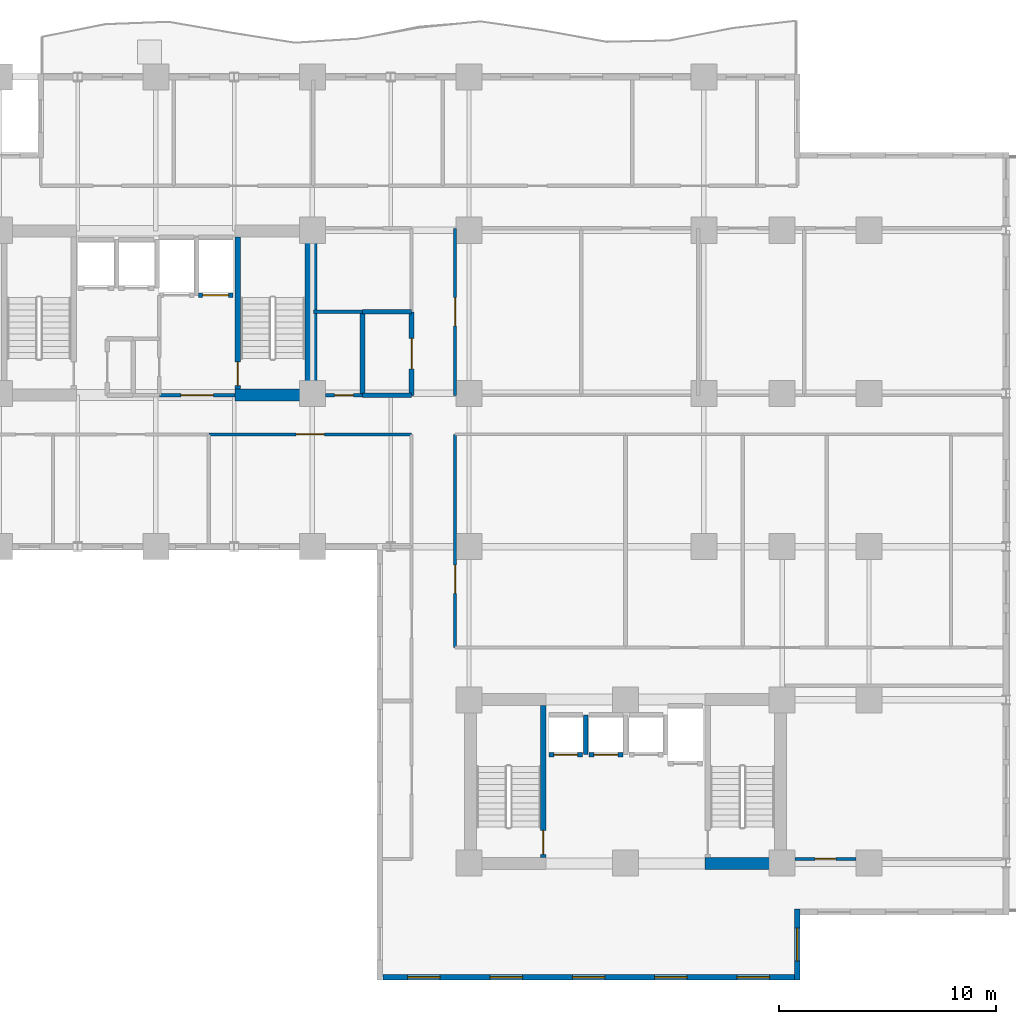
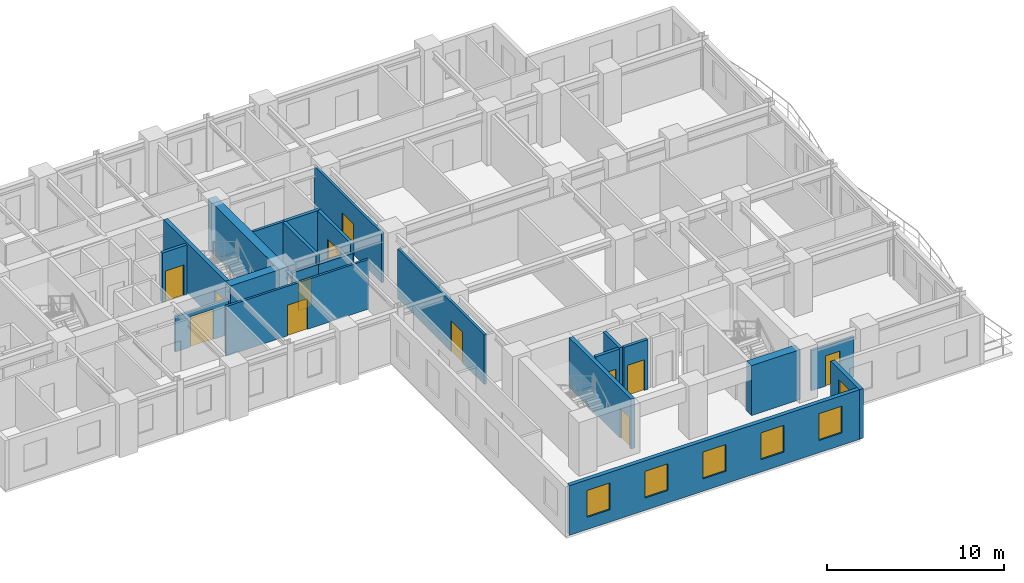
# One storey, part 4 of 11: 22 walls, 12 doors, 6 windows, 18 openings.
"""IFC4 building model written with IfcOpenShell, lengths in metres."""

from ifc_helpers import new_model, si_unit, direction, frame, frame_2d, origin, place, context, subcontext, project, spatial, rectangle, extrude, material, layer, layer_set, type_object, element, fill, save


model = new_model("IFC4")

# Units and contexts
model_context = context("Model", 3, precision=1e-05, world=origin(), true_north=direction((0.0, 1.0)))
body_context = subcontext(model_context, "Body", "Model", "MODEL_VIEW")
ifc_project = project(units=[si_unit("LENGTHUNIT", "METRE"), si_unit("AREAUNIT", "SQUARE_METRE"), si_unit("VOLUMEUNIT", "CUBIC_METRE"), si_unit("PLANEANGLEUNIT", "RADIAN"), si_unit("MASSUNIT", "GRAM", prefix="KILO")], contexts=[model_context])

# Site, building, storey
site_placement = place(None, origin())
site = spatial("IfcSite", under=ifc_project, at=site_placement, CompositionType="ELEMENT")
building_placement = place(site_placement, origin())
building = spatial("IfcBuilding", under=site, at=building_placement, Name="Kaliganga Portal Commons", CompositionType="ELEMENT")
storey_placement = place(building_placement, frame((0.0, 0.0, 115.60009765625)))
storey = spatial("IfcBuildingStorey", under=building, at=storey_placement, Name="L29", CompositionType="ELEMENT", Elevation=115.60009765625)

# Walls
ifc_material_1 = material(Name="Concrete C60/75", Category="concrete")
ifc_layer_1 = layer(ifc_material_1, 0.550048828125)
ifc_layer_set_1 = layer_set([ifc_layer_1], Name="Concrete C60/75")
wall_type_1 = type_object("IfcWallType", Name="WL-CORE-550", PredefinedType="SHEAR", material=ifc_layer_set_1)
wall_1_placement = place(storey_placement, frame((28.72509765625, 28.300048828125, 0.0), z_axis=(0.0, 0.0, 1.0), x_axis=(0.0, 1.0, 0.0)))
element("IfcWall", 1, at=wall_1_placement, inside=storey, type_object=wall_type_1, Name="Core A East Shear Wall L29", PredefinedType="SHEAR", context=body_context, shape_type="SweptSolid", body=[
    extrude(rectangle(XDim=8.099853515625, YDim=0.550048828125, at=frame_2d((4.0498046875, 0.0))), origin(), (0.0, 0.0, 1.0), 3.449951171875),
])
for number, where, z_axis, x_axis, name in (
    (2, (25.25, 28.574951171875, 0.0), (0.0, 0.0, 1.0), (1.0, 0.0, 0.0), "Core A S-East Shear Wall L29"),
    (3, (46.85009765625, 7.02490234375, 0.0), (0.0, 0.0, 1.0), (1.0, 0.0, 0.0), "Core B S-East Shear Wall L29"),
):
    element("IfcWall", number, at=place(storey_placement, frame(where, z_axis=z_axis, x_axis=x_axis)), inside=storey, type_object=wall_type_1, Name=name, PredefinedType="SHEAR", context=body_context, shape_type="SweptSolid", body=[
        extrude(rectangle(XDim=3.199951171875, YDim=0.550048828125, at=frame_2d((1.60009765625, 0.0))), origin(), (0.0, 0.0, 1.0), 3.449951171875),
    ])

# Wall, openings, windows
ifc_material_2 = material(Name="Insulated Aluminium-Clad Spandrel Assembly", Category="aluminium")
ifc_layer_2 = layer(ifc_material_2, 0.260009765625)
ifc_layer_set_2 = layer_set([ifc_layer_2], Name="Insulated Aluminium-Clad Spandrel Assembly")
wall_type_2 = type_object("IfcWallType", Name="WL-EXT-SPAND-260", PredefinedType="STANDARD", material=ifc_layer_set_2)
wall_2_placement = place(storey_placement, frame((50.965087890625, 1.800048828125, 0.0), z_axis=(0.0, 0.0, 1.0), x_axis=(-1.0, 0.0, 0.0)))
wall_2 = element("IfcWall", 4, at=wall_2_placement, inside=storey, type_object=wall_type_2, Name="Exterior Envelope Wall L29 P1-E00-S1", PredefinedType="STANDARD", context=body_context, shape_type="SweptSolid", body=[
    extrude(rectangle(XDim=18.93017578125, YDim=0.260009765625, at=frame_2d((9.465087890625, 0.0))), origin(), (0.0, 0.0, 1.0), 3.429931640625),
])
opening_1_placement = place(wall_2_placement, frame((1.14306640625, 0.0, 0.85009765625)))
opening_1 = element("IfcOpeningElement", 5, at=opening_1_placement, cuts=wall_2, Name="Opening W-02", PredefinedType="OPENING", context=body_context, shape_type="SweptSolid", body=[
    extrude(rectangle(XDim=1.5, YDim=1.85009765625, at=frame_2d((0.75, 0.925048828125))), frame((0.0, 0.14013671875, 0.0), z_axis=(0.0, -1.0, 0.0), x_axis=(1.0, 0.0, 0.0)), (0.0, 0.0, 1.0), 0.280029296875),
])
opening_2_placement = place(wall_2_placement, frame((4.928955078125, 0.0, 0.85009765625)))
opening_2 = element("IfcOpeningElement", 6, at=opening_2_placement, cuts=wall_2, Name="Opening W-02", PredefinedType="OPENING", context=body_context, shape_type="SweptSolid", body=[
    extrude(rectangle(XDim=1.5, YDim=1.85009765625, at=frame_2d((0.75, 0.925048828125))), frame((0.0, 0.14013671875, 0.0), z_axis=(0.0, -1.0, 0.0), x_axis=(1.0, 0.0, 0.0)), (0.0, 0.0, 1.0), 0.280029296875),
])
opening_3_placement = place(wall_2_placement, frame((8.715087890625, 0.0, 0.85009765625)))
opening_3 = element("IfcOpeningElement", 7, at=opening_3_placement, cuts=wall_2, Name="Opening W-02", PredefinedType="OPENING", context=body_context, shape_type="SweptSolid", body=[
    extrude(rectangle(XDim=1.5, YDim=1.85009765625, at=frame_2d((0.75, 0.925048828125))), frame((0.0, 0.14013671875, 0.0), z_axis=(0.0, -1.0, 0.0), x_axis=(1.0, 0.0, 0.0)), (0.0, 0.0, 1.0), 0.280029296875),
])
opening_4_placement = place(wall_2_placement, frame((12.5009765625, 0.0, 0.85009765625)))
opening_4 = element("IfcOpeningElement", 8, at=opening_4_placement, cuts=wall_2, Name="Opening W-02", PredefinedType="OPENING", context=body_context, shape_type="SweptSolid", body=[
    extrude(rectangle(XDim=1.5, YDim=1.85009765625, at=frame_2d((0.75, 0.925048828125))), frame((0.0, 0.14013671875, 0.0), z_axis=(0.0, -1.0, 0.0), x_axis=(1.0, 0.0, 0.0)), (0.0, 0.0, 1.0), 0.280029296875),
])
opening_5_placement = place(wall_2_placement, frame((16.287109375, 0.0, 0.85009765625)))
opening_5 = element("IfcOpeningElement", 9, at=opening_5_placement, cuts=wall_2, Name="Opening W-02", PredefinedType="OPENING", context=body_context, shape_type="SweptSolid", body=[
    extrude(rectangle(XDim=1.5, YDim=1.85009765625, at=frame_2d((0.75, 0.925048828125))), frame((0.0, 0.14013671875, 0.0), z_axis=(0.0, -1.0, 0.0), x_axis=(1.0, 0.0, 0.0)), (0.0, 0.0, 1.0), 0.280029296875),
])
ifc_material_3 = material(Name="Thermally Broken Aluminium and Low-E Double Glazing", Category="aluminium")
window_type = type_object("IfcWindowType", Name="WIN-STD-1500", PartitioningType="DOUBLE_PANEL_VERTICAL", PredefinedType="WINDOW", material=ifc_material_3)
window_1_placement = place(opening_1_placement, origin())
window_1 = element("IfcWindow", 10, at=window_1_placement, inside=storey, type_object=window_type, Name="Facade Window L29-P1E00S1-00", OverallHeight=1.85009765625, OverallWidth=1.5, PartitioningType="SINGLE_PANEL", PredefinedType="WINDOW", context=body_context, shape_type="SweptSolid", body=[
    extrude(rectangle(XDim=1.5, YDim=1.85009765625, at=frame_2d((0.75, 0.925048828125))), frame((0.0, 0.030029296875, 0.0), z_axis=(0.0, -1.0, 0.0), x_axis=(1.0, 0.0, 0.0)), (0.0, 0.0, 1.0), 0.06005859375),
])
fill(opening_1, window_1)
window_2_placement = place(opening_2_placement, origin())
window_2 = element("IfcWindow", 11, at=window_2_placement, inside=storey, type_object=window_type, Name="Facade Window L29-P1E00S1-01", OverallHeight=1.85009765625, OverallWidth=1.5, PartitioningType="SINGLE_PANEL", PredefinedType="WINDOW", context=body_context, shape_type="SweptSolid", body=[
    extrude(rectangle(XDim=1.5, YDim=1.85009765625, at=frame_2d((0.75, 0.925048828125))), frame((0.0, 0.030029296875, 0.0), z_axis=(0.0, -1.0, 0.0), x_axis=(1.0, 0.0, 0.0)), (0.0, 0.0, 1.0), 0.06005859375),
])
fill(opening_2, window_2)
window_3_placement = place(opening_3_placement, origin())
window_3 = element("IfcWindow", 12, at=window_3_placement, inside=storey, type_object=window_type, Name="Facade Window L29-P1E00S1-02", OverallHeight=1.85009765625, OverallWidth=1.5, PartitioningType="SINGLE_PANEL", PredefinedType="WINDOW", context=body_context, shape_type="SweptSolid", body=[
    extrude(rectangle(XDim=1.5, YDim=1.85009765625, at=frame_2d((0.75, 0.925048828125))), frame((0.0, 0.030029296875, 0.0), z_axis=(0.0, -1.0, 0.0), x_axis=(1.0, 0.0, 0.0)), (0.0, 0.0, 1.0), 0.06005859375),
])
fill(opening_3, window_3)
window_4_placement = place(opening_4_placement, origin())
window_4 = element("IfcWindow", 13, at=window_4_placement, inside=storey, type_object=window_type, Name="Facade Window L29-P1E00S1-03", OverallHeight=1.85009765625, OverallWidth=1.5, PartitioningType="SINGLE_PANEL", PredefinedType="WINDOW", context=body_context, shape_type="SweptSolid", body=[
    extrude(rectangle(XDim=1.5, YDim=1.85009765625, at=frame_2d((0.75, 0.925048828125))), frame((0.0, 0.030029296875, 0.0), z_axis=(0.0, -1.0, 0.0), x_axis=(1.0, 0.0, 0.0)), (0.0, 0.0, 1.0), 0.06005859375),
])
fill(opening_4, window_4)
window_5_placement = place(opening_5_placement, origin())
window_5 = element("IfcWindow", 14, at=window_5_placement, inside=storey, type_object=window_type, Name="Facade Window L29-P1E00S1-04", OverallHeight=1.85009765625, OverallWidth=1.5, PartitioningType="SINGLE_PANEL", PredefinedType="WINDOW", context=body_context, shape_type="SweptSolid", body=[
    extrude(rectangle(XDim=1.5, YDim=1.85009765625, at=frame_2d((0.75, 0.925048828125))), frame((0.0, 0.030029296875, 0.0), z_axis=(0.0, -1.0, 0.0), x_axis=(1.0, 0.0, 0.0)), (0.0, 0.0, 1.0), 0.06005859375),
])
fill(opening_5, window_5)

# Wall, opening, window
wall_3_placement = place(storey_placement, frame((51.10009765625, 4.929931640625, 0.0), z_axis=(0.0, 0.0, 1.0), x_axis=(0.0, -1.0, 0.0)))
wall_3 = element("IfcWall", 15, at=wall_3_placement, inside=storey, type_object=wall_type_2, Name="Exterior Envelope Wall L29 P1-E01-S1", PredefinedType="STANDARD", context=body_context, shape_type="SweptSolid", body=[
    extrude(rectangle(XDim=3.260009765625, YDim=0.260009765625, at=frame_2d((1.6298828125, 0.0))), origin(), (0.0, 0.0, 1.0), 3.429931640625),
])
opening_6_placement = place(wall_3_placement, frame((0.8798828125, 0.0, 0.85009765625)))
opening_6 = element("IfcOpeningElement", 16, at=opening_6_placement, cuts=wall_3, Name="Opening W-02", PredefinedType="OPENING", context=body_context, shape_type="SweptSolid", body=[
    extrude(rectangle(XDim=1.5, YDim=1.85009765625, at=frame_2d((0.75, 0.925048828125))), frame((0.0, 0.14013671875, 0.0), z_axis=(0.0, -1.0, 0.0), x_axis=(1.0, 0.0, 0.0)), (0.0, 0.0, 1.0), 0.280029296875),
])
window_6_placement = place(opening_6_placement, origin())
window_6 = element("IfcWindow", 17, at=window_6_placement, inside=storey, type_object=window_type, Name="Facade Window L29-P1E01S1-00", OverallHeight=1.85009765625, OverallWidth=1.5, PartitioningType="SINGLE_PANEL", PredefinedType="WINDOW", context=body_context, shape_type="SweptSolid", body=[
    extrude(rectangle(XDim=1.5, YDim=1.85009765625, at=frame_2d((0.75, 0.925048828125))), frame((0.0, 0.030029296875, 0.0), z_axis=(0.0, -1.0, 0.0), x_axis=(1.0, 0.0, 0.0)), (0.0, 0.0, 1.0), 0.06005859375),
])
fill(opening_6, window_6)

# Wall, opening, door
ifc_material_4 = material(Name="Fire-Rated Gypsum Board on Steel Stud", Category="steel")
ifc_layer_3 = layer(ifc_material_4, 0.14990234375)
ifc_layer_set_3 = layer_set([ifc_layer_3], Name="Fire-Rated Gypsum Board on Steel Stud")
wall_type_3 = type_object("IfcWallType", Name="WL-PART-CORR-150", PredefinedType="PARTITIONING", material=ifc_layer_set_3)
wall_4_placement = place(storey_placement, frame((51.0, 7.239990234375, 0.0), z_axis=(0.0, 0.0, 1.0), x_axis=(1.0, 0.0, 0.0)))
wall_4 = element("IfcWall", 18, at=wall_4_placement, inside=storey, type_object=wall_type_3, Name="Interior Partition L29-001", PredefinedType="PARTITIONING", context=body_context, shape_type="SweptSolid", body=[
    extrude(rectangle(XDim=2.800048828125, YDim=0.14990234375, at=frame_2d((1.39990234375, 0.0))), origin(), (0.0, 0.0, 1.0), 2.77978515625),
])
opening_7_placement = place(wall_4_placement, frame((0.925048828125, 0.0, 0.0)))
opening_7 = element("IfcOpeningElement", 19, at=opening_7_placement, cuts=wall_4, Name="Opening UD-01", PredefinedType="OPENING", context=body_context, shape_type="SweptSolid", body=[
    extrude(rectangle(XDim=0.949951171875, YDim=2.10009765625, at=frame_2d((0.47509765625, 1.050048828125))), frame((0.0, 0.0849609375, 0.0), z_axis=(0.0, -1.0, 0.0), x_axis=(1.0, 0.0, 0.0)), (0.0, 0.0, 1.0), 0.169921875),
])
ifc_material_5 = material(Name="Solid-Core Timber Acoustic Fire Door", Category="wood")
door_type_1 = type_object("IfcDoorType", Name="DR-UNIT-950", OperationType="NOTDEFINED", PredefinedType="DOOR", material=ifc_material_5)
door_1_placement = place(opening_7_placement, origin())
door_1 = element("IfcDoor", 20, at=door_1_placement, inside=storey, type_object=door_type_1, Name="Interior Door L29-BE01", OperationType="SINGLE_SWING_LEFT", OverallHeight=2.10009765625, OverallWidth=0.949951171875, PredefinedType="DOOR", context=body_context, shape_type="SweptSolid", body=[
    extrude(rectangle(XDim=0.949951171875, YDim=2.10009765625, at=frame_2d((0.47509765625, 1.050048828125))), frame((0.0, 0.02490234375, 0.0), z_axis=(0.0, -1.0, 0.0), x_axis=(1.0, 0.0, 0.0)), (0.0, 0.0, 1.0), 0.050048828125),
])
fill(opening_7, door_1)

wall_5_placement = place(storey_placement, frame((35.360107421875, 16.9599609375, 0.0), z_axis=(0.0, 0.0, 1.0), x_axis=(0.0, 1.0, 0.0)))
wall_5 = element("IfcWall", 21, at=wall_5_placement, inside=storey, type_object=wall_type_3, Name="Interior Partition L29-004", PredefinedType="PARTITIONING", context=body_context, shape_type="SweptSolid", body=[
    extrude(rectangle(XDim=9.800048828125, YDim=0.14990234375, at=frame_2d((4.89990234375, 0.0))), origin(), (0.0, 0.0, 1.0), 3.429931640625),
])
opening_8_placement = place(wall_5_placement, frame((2.486083984375, 0.0, 0.0)))
opening_8 = element("IfcOpeningElement", 22, at=opening_8_placement, cuts=wall_5, Name="Opening RD-03", PredefinedType="OPENING", context=body_context, shape_type="SweptSolid", body=[
    extrude(rectangle(XDim=1.300048828125, YDim=2.1201171875, at=frame_2d((0.64990234375, 1.06005859375))), frame((0.0, 0.0849609375, 0.0), z_axis=(0.0, -1.0, 0.0), x_axis=(1.0, 0.0, 0.0)), (0.0, 0.0, 1.0), 0.169921875),
])
ifc_material_6 = material(Name="Glazed Timber Seminar Vision Door", Category="wood")
door_type_2 = type_object("IfcDoorType", Name="DR-STUDY-1300", OperationType="DOUBLE_DOOR_SINGLE_SWING", PredefinedType="DOOR", material=ifc_material_6)
door_2_placement = place(opening_8_placement, origin())
door_2 = element("IfcDoor", 23, at=door_2_placement, inside=storey, type_object=door_type_2, Name="Interior Door L29-BM01", OperationType="DOUBLE_DOOR_SINGLE_SWING", OverallHeight=2.1201171875, OverallWidth=1.300048828125, PredefinedType="DOOR", context=body_context, shape_type="SweptSolid", body=[
    extrude(rectangle(XDim=1.300048828125, YDim=2.1201171875, at=frame_2d((0.64990234375, 1.06005859375))), frame((0.0, 0.02490234375, 0.0), z_axis=(0.0, -1.0, 0.0), x_axis=(1.0, 0.0, 0.0)), (0.0, 0.0, 1.0), 0.050048828125),
])
fill(opening_8, door_2)

wall_6_placement = place(storey_placement, frame((24.0400390625, 26.760009765625, 0.0), z_axis=(0.0, 0.0, 1.0), x_axis=(1.0, 0.0, 0.0)))
wall_6 = element("IfcWall", 24, at=wall_6_placement, inside=storey, type_object=wall_type_3, Name="Interior Partition L29-005", PredefinedType="PARTITIONING", context=body_context, shape_type="SweptSolid", body=[
    extrude(rectangle(XDim=9.320068359375, YDim=0.14990234375, at=frame_2d((4.66015625, 0.0))), origin(), (0.0, 0.0, 1.0), 3.429931640625),
])
opening_9_placement = place(wall_6_placement, frame((4.010009765625, 0.0, 0.0)))
opening_9 = element("IfcOpeningElement", 25, at=opening_9_placement, cuts=wall_6, Name="Opening RD-03", PredefinedType="OPENING", context=body_context, shape_type="SweptSolid", body=[
    extrude(rectangle(XDim=1.300048828125, YDim=2.1201171875, at=frame_2d((0.64990234375, 1.06005859375))), frame((0.0, 0.0849609375, 0.0), z_axis=(0.0, -1.0, 0.0), x_axis=(1.0, 0.0, 0.0)), (0.0, 0.0, 1.0), 0.169921875),
])
door_3_placement = place(opening_9_placement, origin())
door_3 = element("IfcDoor", 26, at=door_3_placement, inside=storey, type_object=door_type_2, Name="Interior Door L29-AS05", OperationType="DOUBLE_DOOR_SINGLE_SWING", OverallHeight=2.1201171875, OverallWidth=1.300048828125, PredefinedType="DOOR", context=body_context, shape_type="SweptSolid", body=[
    extrude(rectangle(XDim=1.300048828125, YDim=2.1201171875, at=frame_2d((0.64990234375, 1.06005859375))), frame((0.0, 0.02490234375, 0.0), z_axis=(0.0, -1.0, 0.0), x_axis=(1.0, 0.0, 0.0)), (0.0, 0.0, 1.0), 0.050048828125),
])
fill(opening_9, door_3)

wall_7_placement = place(storey_placement, frame((35.360107421875, 28.56005859375, 0.0), z_axis=(0.0, 0.0, 1.0), x_axis=(0.0, 1.0, 0.0)))
wall_7 = element("IfcWall", 27, at=wall_7_placement, inside=storey, type_object=wall_type_3, Name="Interior Partition L29-010", PredefinedType="PARTITIONING", context=body_context, shape_type="SweptSolid", body=[
    extrude(rectangle(XDim=7.679931640625, YDim=0.14990234375, at=frame_2d((3.83984375, 0.0))), origin(), (0.0, 0.0, 1.0), 3.429931640625),
])
opening_10_placement = place(wall_7_placement, frame((3.18994140625, 0.0, 0.0)))
opening_10 = element("IfcOpeningElement", 28, at=opening_10_placement, cuts=wall_7, Name="Opening RD-03", PredefinedType="OPENING", context=body_context, shape_type="SweptSolid", body=[
    extrude(rectangle(XDim=1.300048828125, YDim=2.1201171875, at=frame_2d((0.64990234375, 1.06005859375))), frame((0.0, 0.0849609375, 0.0), z_axis=(0.0, -1.0, 0.0), x_axis=(1.0, 0.0, 0.0)), (0.0, 0.0, 1.0), 0.169921875),
])
door_4_placement = place(opening_10_placement, origin())
door_4 = element("IfcDoor", 29, at=door_4_placement, inside=storey, type_object=door_type_2, Name="Interior Door L29-BK01", OperationType="DOUBLE_DOOR_SINGLE_SWING", OverallHeight=2.1201171875, OverallWidth=1.300048828125, PredefinedType="DOOR", context=body_context, shape_type="SweptSolid", body=[
    extrude(rectangle(XDim=1.300048828125, YDim=2.1201171875, at=frame_2d((0.64990234375, 1.06005859375))), frame((0.0, 0.02490234375, 0.0), z_axis=(0.0, -1.0, 0.0), x_axis=(1.0, 0.0, 0.0)), (0.0, 0.0, 1.0), 0.050048828125),
])
fill(opening_10, door_4)

wall_8_placement = place(storey_placement, frame((29.39990234375, 28.56005859375, 0.0), z_axis=(0.0, 0.0, 1.0), x_axis=(1.0, 0.0, 0.0)))
wall_8 = element("IfcWall", 30, at=wall_8_placement, inside=storey, type_object=wall_type_3, Name="Interior Partition L29-035", PredefinedType="PARTITIONING", context=body_context, shape_type="SweptSolid", body=[
    extrude(rectangle(XDim=1.7001953125, YDim=0.14990234375, at=frame_2d((0.85009765625, 0.0))), origin(), (0.0, 0.0, 1.0), 2.77978515625),
])
opening_11_placement = place(wall_8_placement, frame((0.419921875, 0.0, 0.0)))
opening_11 = element("IfcOpeningElement", 31, at=opening_11_placement, cuts=wall_8, Name="Opening WD-02", PredefinedType="OPENING", context=body_context, shape_type="SweptSolid", body=[
    extrude(rectangle(XDim=0.860107421875, YDim=2.02001953125, at=frame_2d((0.43017578125, 1.010009765625))), frame((0.0, 0.0849609375, 0.0), z_axis=(0.0, -1.0, 0.0), x_axis=(1.0, 0.0, 0.0)), (0.0, 0.0, 1.0), 0.169921875),
])
ifc_material_7 = material(Name="Fire-Rated Utility Closet Door", Category="wood")
door_type_3 = type_object("IfcDoorType", Name="DR-STORE-800", OperationType="NOTDEFINED", PredefinedType="DOOR", material=ifc_material_7)
door_5_placement = place(opening_11_placement, origin())
door_5 = element("IfcDoor", 32, at=door_5_placement, inside=storey, type_object=door_type_3, Name="Interior Door L29-CSRV_A1", OperationType="SINGLE_SWING_LEFT", OverallHeight=2.02001953125, OverallWidth=0.860107421875, PredefinedType="DOOR", context=body_context, shape_type="SweptSolid", body=[
    extrude(rectangle(XDim=0.860107421875, YDim=2.02001953125, at=frame_2d((0.43017578125, 1.010009765625))), frame((0.0, 0.02490234375, 0.0), z_axis=(0.0, -1.0, 0.0), x_axis=(1.0, 0.0, 0.0)), (0.0, 0.0, 1.0), 0.050048828125),
])
fill(opening_11, door_5)

wall_9_placement = place(storey_placement, frame((21.760009765625, 28.56005859375, 0.0), z_axis=(0.0, 0.0, 1.0), x_axis=(1.0, 0.0, 0.0)))
wall_9 = element("IfcWall", 33, at=wall_9_placement, inside=storey, type_object=wall_type_3, Name="Interior Partition L29-072", PredefinedType="PARTITIONING", context=body_context, shape_type="SweptSolid", body=[
    extrude(rectangle(XDim=3.47998046875, YDim=0.14990234375, at=frame_2d((1.739990234375, 0.0))), origin(), (0.0, 0.0, 1.0), 2.429931640625),
])
opening_12_placement = place(wall_9_placement, frame((0.989990234375, 0.0, 0.0)))
opening_12 = element("IfcOpeningElement", 34, at=opening_12_placement, cuts=wall_9, Name="Opening FD-01", PredefinedType="OPENING", context=body_context, shape_type="SweptSolid", body=[
    extrude(rectangle(XDim=1.5, YDim=2.10009765625, at=frame_2d((0.75, 1.050048828125))), frame((0.0, 0.0849609375, 0.0), z_axis=(0.0, -1.0, 0.0), x_axis=(1.0, 0.0, 0.0)), (0.0, 0.0, 1.0), 0.169921875),
])
ifc_material_8 = material(Name="Fire-Rated Hardwood and Georgian-Wired Vision Panel", Category="wood")
door_type_4 = type_object("IfcDoorType", Name="DR-LOBBY-1500", OperationType="DOUBLE_DOOR_SINGLE_SWING", PredefinedType="DOOR", material=ifc_material_8)
door_6_placement = place(opening_12_placement, origin())
door_6 = element("IfcDoor", 35, at=door_6_placement, inside=storey, type_object=door_type_4, Name="Interior Door L29-FFLOB_A", OperationType="DOUBLE_DOOR_SINGLE_SWING", OverallHeight=2.10009765625, OverallWidth=1.5, PredefinedType="DOOR", context=body_context, shape_type="SweptSolid", body=[
    extrude(rectangle(XDim=1.5, YDim=2.10009765625, at=frame_2d((0.75, 1.050048828125))), frame((0.0, 0.02490234375, 0.0), z_axis=(0.0, -1.0, 0.0), x_axis=(1.0, 0.0, 0.0)), (0.0, 0.0, 1.0), 0.050048828125),
])
fill(opening_12, door_6)

ifc_material_9 = material(Name="Lightweight blockwork masonry", Category="masonry")
ifc_layer_4 = layer(ifc_material_9, 0.215087890625)
ifc_layer_set_4 = layer_set([ifc_layer_4], Name="Lightweight blockwork masonry")
wall_type_4 = type_object("IfcWallType", Name="WL-PART-PLANT-215", PredefinedType="PARTITIONING", material=ifc_layer_set_4)
wall_10_placement = place(storey_placement, frame((33.360107421875, 28.56005859375, 0.0), z_axis=(0.0, 0.0, 1.0), x_axis=(0.0, 1.0, 0.0)))
wall_10 = element("IfcWall", 36, at=wall_10_placement, inside=storey, type_object=wall_type_4, Name="Interior Partition L29-029", PredefinedType="PARTITIONING", context=body_context, shape_type="SweptSolid", body=[
    extrude(rectangle(XDim=3.83984375, YDim=0.215087890625, at=frame_2d((1.919921875, 0.0))), origin(), (0.0, 0.0, 1.0), 3.429931640625),
])
opening_13_placement = place(wall_10_placement, frame((1.219970703125, 0.0, 0.0)))
opening_13 = element("IfcOpeningElement", 37, at=opening_13_placement, cuts=wall_10, Name="Opening PD-01", PredefinedType="OPENING", context=body_context, shape_type="SweptSolid", body=[
    extrude(rectangle(XDim=1.39990234375, YDim=2.14990234375, at=frame_2d((0.699951171875, 1.074951171875))), frame((0.0, 0.11767578125, 0.0), z_axis=(0.0, -1.0, 0.0), x_axis=(1.0, 0.0, 0.0)), (0.0, 0.0, 1.0), 0.235107421875),
])
ifc_material_10 = material(Name="Heavy-Duty Steel Acoustic Louvre Fire Door", Category="steel")
door_type_5 = type_object("IfcDoorType", Name="DR-PLANT-1400", OperationType="DOUBLE_DOOR_SINGLE_SWING", PredefinedType="DOOR", material=ifc_material_10)
door_7_placement = place(opening_13_placement, origin())
door_7 = element("IfcDoor", 38, at=door_7_placement, inside=storey, type_object=door_type_5, Name="Interior Door L29-CSRV_A3", OperationType="DOUBLE_DOOR_SINGLE_SWING", OverallHeight=2.14990234375, OverallWidth=1.39990234375, PredefinedType="DOOR", context=body_context, shape_type="SweptSolid", body=[
    extrude(rectangle(XDim=1.39990234375, YDim=2.14990234375, at=frame_2d((0.699951171875, 1.074951171875))), frame((0.0, 0.02490234375, 0.0), z_axis=(0.0, -1.0, 0.0), x_axis=(1.0, 0.0, 0.0)), (0.0, 0.0, 1.0), 0.050048828125),
])
fill(opening_13, door_7)

# Walls
wall_11_placement = place(storey_placement, frame((31.10009765625, 28.56005859375, 0.0), z_axis=(0.0, 0.0, 1.0), x_axis=(1.0, 0.0, 0.0)))
element("IfcWall", 39, at=wall_11_placement, inside=storey, type_object=wall_type_4, Name="Interior Partition L29-036", PredefinedType="PARTITIONING", context=body_context, shape_type="SweptSolid", body=[
    extrude(rectangle(XDim=2.260009765625, YDim=0.215087890625, at=frame_2d((1.1298828125, 0.0))), origin(), (0.0, 0.0, 1.0), 2.77978515625),
])
wall_12_placement = place(storey_placement, frame((31.10009765625, 28.56005859375, 0.0), z_axis=(0.0, 0.0, 1.0), x_axis=(0.0, 1.0, 0.0)))
element("IfcWall", 40, at=wall_12_placement, inside=storey, type_object=wall_type_4, Name="Interior Partition L29-071", PredefinedType="PARTITIONING", context=body_context, shape_type="SweptSolid", body=[
    extrude(rectangle(XDim=3.83984375, YDim=0.215087890625, at=frame_2d((1.919921875, 0.0))), origin(), (0.0, 0.0, 1.0), 3.429931640625),
])
wall_13_placement = place(storey_placement, frame((31.10009765625, 32.39990234375, 0.0), z_axis=(0.0, 0.0, 1.0), x_axis=(1.0, 0.0, 0.0)))
element("IfcWall", 41, at=wall_13_placement, inside=storey, type_object=wall_type_4, Name="Interior Partition L29-076", PredefinedType="PARTITIONING", context=body_context, shape_type="SweptSolid", body=[
    extrude(rectangle(XDim=2.260009765625, YDim=0.215087890625, at=frame_2d((1.1298828125, 0.0))), origin(), (0.0, 0.0, 1.0), 3.429931640625),
])
ifc_material_11 = material(Name="Twin-Stud Acoustic Gypsum Partition", Category="gypsum")
ifc_layer_5 = layer(ifc_material_11, 0.1650390625)
ifc_layer_set_5 = layer_set([ifc_layer_5], Name="Twin-Stud Acoustic Gypsum Partition")
wall_type_5 = type_object("IfcWallType", Name="WL-PART-UNIT-165", PredefinedType="PARTITIONING", material=ifc_layer_set_5)
wall_14_placement = place(storey_placement, frame((28.840087890625, 32.39990234375, 0.0), z_axis=(0.0, 0.0, 1.0), x_axis=(1.0, 0.0, 0.0)))
element("IfcWall", 42, at=wall_14_placement, inside=storey, type_object=wall_type_5, Name="Interior Partition L29-075", PredefinedType="PARTITIONING", context=body_context, shape_type="SweptSolid", body=[
    extrude(rectangle(XDim=2.260009765625, YDim=0.1650390625, at=frame_2d((1.1298828125, 0.0))), origin(), (0.0, 0.0, 1.0), 3.429931640625),
])

# Wall, opening, door
ifc_material_12 = material(Name="Fire-Rated Shaftwall Masonry Assembly", Category="masonry")
ifc_layer_6 = layer(ifc_material_12, 0.199951171875)
ifc_layer_set_6 = layer_set([ifc_layer_6], Name="Fire-Rated Shaftwall Masonry Assembly")
wall_type_6 = type_object("IfcWallType", Name="WL-SHAFT-200", PredefinedType="PARTITIONING", material=ifc_layer_set_6)
wall_15_placement = place(storey_placement, frame((23.550048828125, 33.159912109375, 0.0), z_axis=(0.0, 0.0, 1.0), x_axis=(1.0, 0.0, 0.0)))
wall_15 = element("IfcWall", 43, at=wall_15_placement, inside=storey, type_object=wall_type_6, Name="Lift FFL-2 Hoistway Shaft Wall L29-S", PredefinedType="PARTITIONING", context=body_context, shape_type="SweptSolid", body=[
    extrude(rectangle(XDim=1.599853515625, YDim=0.199951171875, at=frame_2d((0.7998046875, 0.0))), origin(), (0.0, 0.0, 1.0), 3.429931640625),
])
opening_14_placement = place(wall_15_placement, frame((0.199951171875, 0.0, 0.0)))
opening_14 = element("IfcOpeningElement", 44, at=opening_14_placement, cuts=wall_15, Name="Opening LD-02", PredefinedType="OPENING", context=body_context, shape_type="SweptSolid", body=[
    extrude(rectangle(XDim=1.199951171875, YDim=2.1201171875, at=frame_2d((0.60009765625, 1.06005859375))), frame((0.0, 0.10986328125, 0.0), z_axis=(0.0, -1.0, 0.0), x_axis=(1.0, 0.0, 0.0)), (0.0, 0.0, 1.0), 0.219970703125),
])
ifc_material_13 = material(Name="Brushed Stainless Steel 316 Stretcher Lift Landing Door", Category="steel")
door_type_6 = type_object("IfcDoorType", Name="DR-LIFT-1200", OperationType="SLIDING_TO_RIGHT", PredefinedType="DOOR", material=ifc_material_13)
door_8_placement = place(opening_14_placement, origin())
door_8 = element("IfcDoor", 45, at=door_8_placement, inside=storey, type_object=door_type_6, Name="Lift FFL-2 Sliding Landing Door L29", OperationType="SLIDING_TO_RIGHT", OverallHeight=2.1201171875, OverallWidth=1.199951171875, PredefinedType="DOOR", context=body_context, shape_type="SweptSolid", body=[
    extrude(rectangle(XDim=1.199951171875, YDim=2.1201171875, at=frame_2d((0.60009765625, 1.06005859375))), frame((0.0, 0.02490234375, 0.0), z_axis=(0.0, -1.0, 0.0), x_axis=(1.0, 0.0, 0.0)), (0.0, 0.0, 1.0), 0.050048828125),
])
fill(opening_14, door_8)

wall_16_placement = place(storey_placement, frame((39.675048828125, 12.034912109375, 0.0), z_axis=(0.0, 0.0, 1.0), x_axis=(1.0, 0.0, 0.0)))
wall_16 = element("IfcWall", 46, at=wall_16_placement, inside=storey, type_object=wall_type_6, Name="Lift PL-B1 Hoistway Shaft Wall L29-S", PredefinedType="PARTITIONING", context=body_context, shape_type="SweptSolid", body=[
    extrude(rectangle(XDim=1.550048828125, YDim=0.199951171875, at=frame_2d((0.77490234375, 0.0))), origin(), (0.0, 0.0, 1.0), 3.429931640625),
])
opening_15_placement = place(wall_16_placement, frame((0.22509765625, 0.0, 0.0)))
opening_15 = element("IfcOpeningElement", 47, at=opening_15_placement, cuts=wall_16, Name="Opening LD-01", PredefinedType="OPENING", context=body_context, shape_type="SweptSolid", body=[
    extrude(rectangle(XDim=1.10009765625, YDim=2.1201171875, at=frame_2d((0.550048828125, 1.06005859375))), frame((0.0, 0.10986328125, 0.0), z_axis=(0.0, -1.0, 0.0), x_axis=(1.0, 0.0, 0.0)), (0.0, 0.0, 1.0), 0.219970703125),
])
ifc_material_14 = material(Name="Brushed Stainless Steel 316 Lift Landing Door", Category="steel")
door_type_7 = type_object("IfcDoorType", Name="DR-LIFT-1100", OperationType="SLIDING_TO_LEFT", PredefinedType="DOOR", material=ifc_material_14)
door_9_placement = place(opening_15_placement, origin())
door_9 = element("IfcDoor", 48, at=door_9_placement, inside=storey, type_object=door_type_7, Name="Lift PL-B1 Sliding Landing Door L29", OperationType="SLIDING_TO_LEFT", OverallHeight=2.1201171875, OverallWidth=1.10009765625, PredefinedType="DOOR", context=body_context, shape_type="SweptSolid", body=[
    extrude(rectangle(XDim=1.10009765625, YDim=2.1201171875, at=frame_2d((0.550048828125, 1.06005859375))), frame((0.0, 0.02490234375, 0.0), z_axis=(0.0, -1.0, 0.0), x_axis=(1.0, 0.0, 0.0)), (0.0, 0.0, 1.0), 0.050048828125),
])
fill(opening_15, door_9)

# Wall
wall_17_placement = place(storey_placement, frame((41.364990234375, 12.034912109375, 0.0), z_axis=(0.0, 0.0, 1.0), x_axis=(0.0, 1.0, 0.0)))
element("IfcWall", 49, at=wall_17_placement, inside=storey, type_object=wall_type_6, Name="Lift PL-B1 Hoistway Shaft Wall L29-E", PredefinedType="PARTITIONING", context=body_context, shape_type="SweptSolid", body=[
    extrude(rectangle(XDim=1.830078125, YDim=0.199951171875, at=frame_2d((0.9150390625, 0.0))), origin(), (0.0, 0.0, 1.0), 3.429931640625),
])

# Wall, opening, door
wall_18_placement = place(storey_placement, frame((41.52490234375, 12.034912109375, 0.0), z_axis=(0.0, 0.0, 1.0), x_axis=(1.0, 0.0, 0.0)))
wall_18 = element("IfcWall", 50, at=wall_18_placement, inside=storey, type_object=wall_type_6, Name="Lift PL-B2 Hoistway Shaft Wall L29-S", PredefinedType="PARTITIONING", context=body_context, shape_type="SweptSolid", body=[
    extrude(rectangle(XDim=1.550048828125, YDim=0.199951171875, at=frame_2d((0.77490234375, 0.0))), origin(), (0.0, 0.0, 1.0), 3.429931640625),
])
opening_16_placement = place(wall_18_placement, frame((0.22509765625, 0.0, 0.0)))
opening_16 = element("IfcOpeningElement", 51, at=opening_16_placement, cuts=wall_18, Name="Opening LD-01", PredefinedType="OPENING", context=body_context, shape_type="SweptSolid", body=[
    extrude(rectangle(XDim=1.10009765625, YDim=2.1201171875, at=frame_2d((0.550048828125, 1.06005859375))), frame((0.0, 0.10986328125, 0.0), z_axis=(0.0, -1.0, 0.0), x_axis=(1.0, 0.0, 0.0)), (0.0, 0.0, 1.0), 0.219970703125),
])
door_10_placement = place(opening_16_placement, origin())
door_10 = element("IfcDoor", 52, at=door_10_placement, inside=storey, type_object=door_type_7, Name="Lift PL-B2 Sliding Landing Door L29", OperationType="SLIDING_TO_LEFT", OverallHeight=2.1201171875, OverallWidth=1.10009765625, PredefinedType="DOOR", context=body_context, shape_type="SweptSolid", body=[
    extrude(rectangle(XDim=1.10009765625, YDim=2.1201171875, at=frame_2d((0.550048828125, 1.06005859375))), frame((0.0, 0.02490234375, 0.0), z_axis=(0.0, -1.0, 0.0), x_axis=(1.0, 0.0, 0.0)), (0.0, 0.0, 1.0), 0.050048828125),
])
fill(opening_16, door_10)

ifc_material_15 = material(Name="Concrete C50/60", Category="concrete")
ifc_layer_7 = layer(ifc_material_15, 0.25)
ifc_layer_set_7 = layer_set([ifc_layer_7], Name="Concrete C50/60")
wall_type_7 = type_object("IfcWallType", Name="WL-STAIR-250", PredefinedType="SHEAR", material=ifc_layer_set_7)
wall_19_placement = place(storey_placement, frame((25.375, 28.85009765625, 0.0), z_axis=(0.0, 0.0, 1.0), x_axis=(0.0, 1.0, 0.0)))
wall_19 = element("IfcWall", 53, at=wall_19_placement, inside=storey, type_object=wall_type_7, Name="Stair A2 Enclosure Shear Wall L29", PredefinedType="SHEAR", context=body_context, shape_type="SweptSolid", body=[
    extrude(rectangle(XDim=7.0, YDim=0.25, at=frame_2d((3.5, 0.0))), origin(), (0.0, 0.0, 1.0), 3.449951171875),
])
opening_17_placement = place(wall_19_placement, frame((0.14990234375, 0.0, 0.0)))
opening_17 = element("IfcOpeningElement", 54, at=opening_17_placement, cuts=wall_19, Name="Opening SD-01", PredefinedType="OPENING", context=body_context, shape_type="SweptSolid", body=[
    extrude(rectangle(XDim=1.10009765625, YDim=2.080078125, at=frame_2d((0.550048828125, 1.0400390625))), frame((0.0, 0.135009765625, 0.0), z_axis=(0.0, -1.0, 0.0), x_axis=(1.0, 0.0, 0.0)), (0.0, 0.0, 1.0), 0.27001953125),
])
ifc_material_16 = material(Name="Galvanized Steel Fire Door Leaf and Frame", Category="steel")
door_type_8 = type_object("IfcDoorType", Name="DR-STAIR-1100", OperationType="NOTDEFINED", PredefinedType="DOOR", material=ifc_material_16)
door_11_placement = place(opening_17_placement, origin())
door_11 = element("IfcDoor", 55, at=door_11_placement, inside=storey, type_object=door_type_8, Name="Protected Stair ST-A2 Fire Door L29", OperationType="SINGLE_SWING_RIGHT", OverallHeight=2.080078125, OverallWidth=1.10009765625, PredefinedType="DOOR", context=body_context, shape_type="SweptSolid", body=[
    extrude(rectangle(XDim=1.10009765625, YDim=2.080078125, at=frame_2d((0.550048828125, 1.0400390625))), frame((0.0, 0.02490234375, 0.0), z_axis=(0.0, -1.0, 0.0), x_axis=(1.0, 0.0, 0.0)), (0.0, 0.0, 1.0), 0.050048828125),
])
fill(opening_17, door_11)

wall_20_placement = place(storey_placement, frame((39.425048828125, 7.300048828125, 0.0), z_axis=(0.0, 0.0, 1.0), x_axis=(0.0, 1.0, 0.0)))
wall_20 = element("IfcWall", 56, at=wall_20_placement, inside=storey, type_object=wall_type_7, Name="Stair B1 Enclosure Shear Wall L29", PredefinedType="SHEAR", context=body_context, shape_type="SweptSolid", body=[
    extrude(rectangle(XDim=7.0, YDim=0.25, at=frame_2d((3.5, 0.0))), origin(), (0.0, 0.0, 1.0), 3.449951171875),
])
opening_18_placement = place(wall_20_placement, frame((0.14990234375, 0.0, 0.0)))
opening_18 = element("IfcOpeningElement", 57, at=opening_18_placement, cuts=wall_20, Name="Opening SD-01", PredefinedType="OPENING", context=body_context, shape_type="SweptSolid", body=[
    extrude(rectangle(XDim=1.10009765625, YDim=2.080078125, at=frame_2d((0.550048828125, 1.0400390625))), frame((0.0, 0.135009765625, 0.0), z_axis=(0.0, -1.0, 0.0), x_axis=(1.0, 0.0, 0.0)), (0.0, 0.0, 1.0), 0.27001953125),
])
door_12_placement = place(opening_18_placement, origin())
door_12 = element("IfcDoor", 58, at=door_12_placement, inside=storey, type_object=door_type_8, Name="Protected Stair ST-B1 Fire Door L29", OperationType="SINGLE_SWING_LEFT", OverallHeight=2.080078125, OverallWidth=1.10009765625, PredefinedType="DOOR", context=body_context, shape_type="SweptSolid", body=[
    extrude(rectangle(XDim=1.10009765625, YDim=2.080078125, at=frame_2d((0.550048828125, 1.0400390625))), frame((0.0, 0.02490234375, 0.0), z_axis=(0.0, -1.0, 0.0), x_axis=(1.0, 0.0, 0.0)), (0.0, 0.0, 1.0), 0.050048828125),
])
fill(opening_18, door_12)

save(model, "model.ifc")
